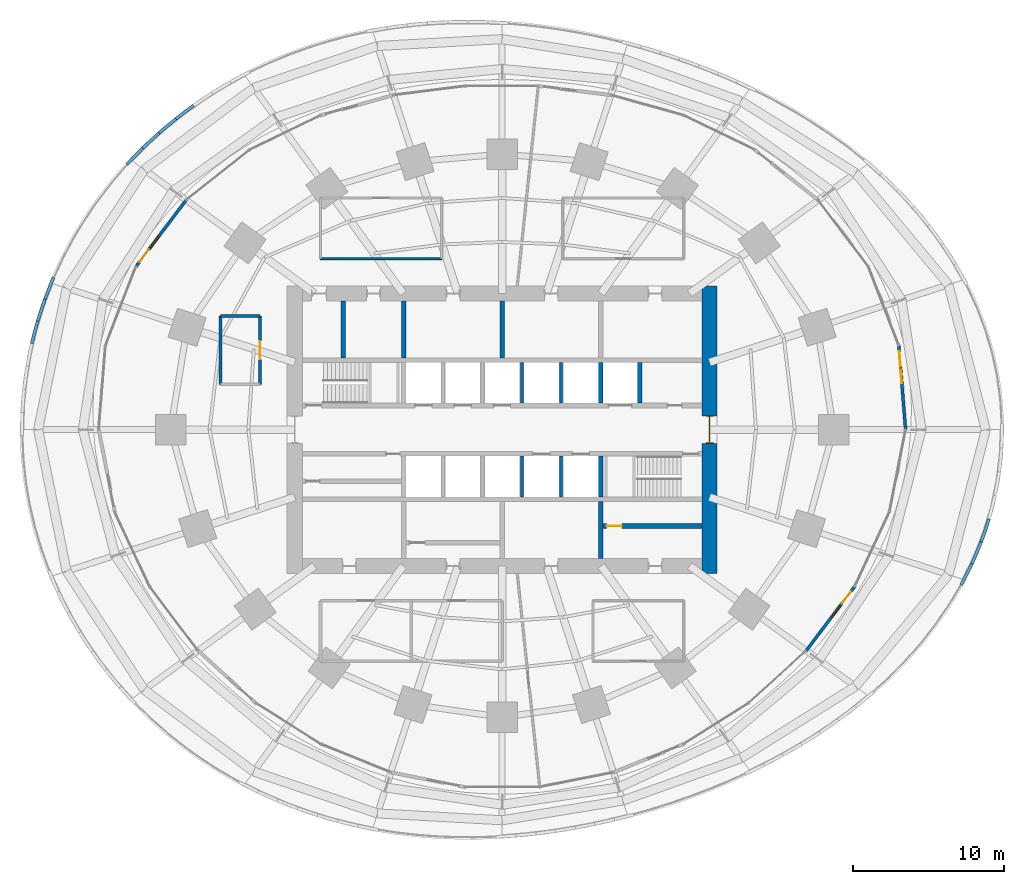
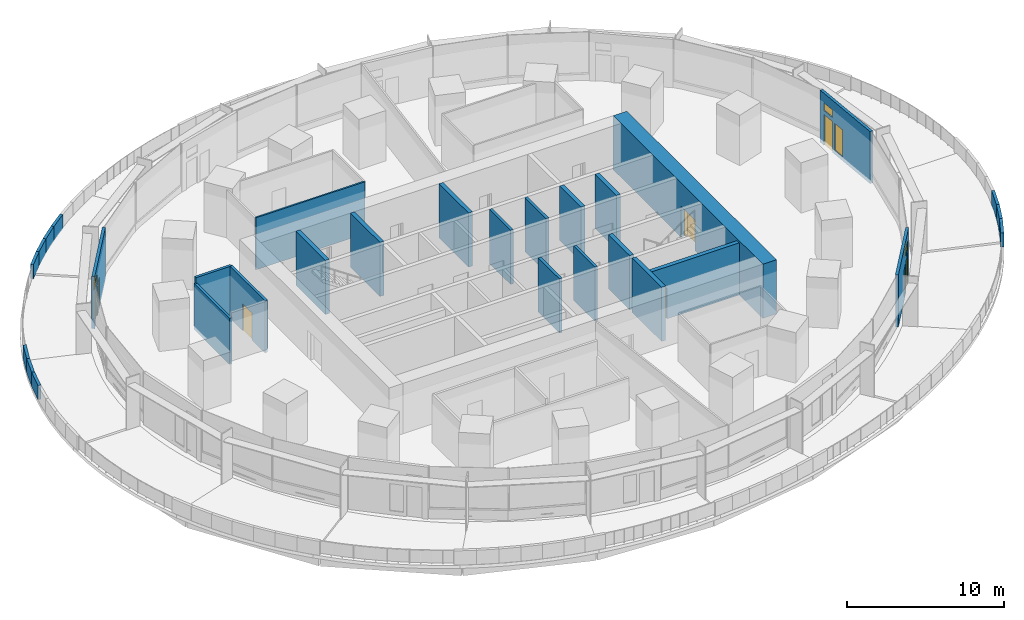
# One storey, part 14 of 20: 30 walls, 6 doors, 6 windows, 12 openings.
"""IFC4 building model written with IfcOpenShell, lengths in metres."""

import ifcopenshell
import ifcopenshell.guid

model = None  # the IFC model being written
_history = None  # IfcOwnerHistory: only IFC2X3 demands one
_inside = {}  # id of a spatial element -> (the spatial element, [elements in it])
_under = {}  # id of a project, library or spatial element -> (it, [spatial elements below it])
_declared = {}  # id of a project -> (the project, [libraries it declares])
_typed = {}  # id of a type object -> (the type object, [elements of that type])
_made_of = {}  # id of a material, layer set ... -> (it, [elements and type objects made of it])


def new_model(schema):
    """Start an empty IFC model of exactly this schema.

    Asked for "IFC4X3", IfcOpenShell would pick the latest addendum, in which some entities
    have other attributes; the version numbers below select the first issue.
    IFC2X3 requires an IfcOwnerHistory on every rooted entity: one is made here for all.
    """
    global model, _history
    if schema == "IFC4X3":
        model = ifcopenshell.file(schema_version=(4, 3, 0, 0))
    else:
        model = ifcopenshell.file(schema=schema)
    _inside.clear()
    _under.clear()
    _declared.clear()
    _typed.clear()
    _made_of.clear()
    _history = None
    if model.schema == "IFC2X3":
        org = make("IfcOrganization", Name="unknown")
        user = make(
            "IfcPersonAndOrganization",
            ThePerson=make("IfcPerson", FamilyName="unknown"),
            TheOrganization=org,
        )
        app = make(
            "IfcApplication",
            ApplicationDeveloper=org,
            Version="unknown",
            ApplicationFullName="unknown",
            ApplicationIdentifier="unknown",
        )
        _history = make(
            "IfcOwnerHistory",
            OwningUser=user,
            OwningApplication=app,
            ChangeAction="ADDED",
            CreationDate=0,
        )
    return model


def make(cls, **values):
    """One entity of the class cls with the attributes given. An attribute that is None is left unset."""
    return model.create_entity(
        cls, **{name: value for name, value in values.items() if value is not None}
    )


def rooted(cls, **values):
    """An entity with a GlobalId (a new one), such as an element, a storey or a relation."""
    return make(cls, GlobalId=ifcopenshell.guid.new(), OwnerHistory=_history, **values)


def si_unit(unit_type, name, prefix=None):
    """IfcSIUnit, for example si_unit("LENGTHUNIT", "METRE", prefix="MILLI")."""
    return make("IfcSIUnit", UnitType=unit_type, Prefix=prefix, Name=name)


def assignment(units):
    """IfcUnitAssignment: the units of a project."""
    return None if units is None else make("IfcUnitAssignment", Units=units)


def point(xyz):
    """IfcCartesianPoint."""
    return None if xyz is None else make("IfcCartesianPoint", Coordinates=xyz)


def direction(xyz):
    """IfcDirection."""
    return None if xyz is None else make("IfcDirection", DirectionRatios=xyz)


def frame(location, z_axis=None, x_axis=None):
    """IfcAxis2Placement3D, a coordinate frame: its origin and axes. An axis left out is left unset."""
    return make(
        "IfcAxis2Placement3D",
        Location=point(location),
        Axis=direction(z_axis),
        RefDirection=direction(x_axis),
    )


def frame_2d(location, x_axis=None):
    """IfcAxis2Placement2D, a coordinate frame in the plane: its origin and x axis."""
    return make(
        "IfcAxis2Placement2D", Location=point(location), RefDirection=direction(x_axis)
    )


def origin():
    """The frame at (0, 0, 0) with its axes left unset."""
    return frame((0.0, 0.0, 0.0))


def place(relative_to, where):
    """IfcLocalPlacement: puts the frame where relative to a parent placement (None: the world)."""
    return make(
        "IfcLocalPlacement", PlacementRelTo=relative_to, RelativePlacement=where
    )


def context(
    kind, dimensions, precision=None, world=None, true_north=None, identifier=None
):
    """IfcGeometricRepresentationContext, for example the 3D "Model" context."""
    return make(
        "IfcGeometricRepresentationContext",
        ContextIdentifier=identifier,
        ContextType=kind,
        CoordinateSpaceDimension=dimensions,
        Precision=precision,
        WorldCoordinateSystem=world,
        TrueNorth=true_north,
    )


def subcontext(parent, identifier, kind, view, scale=None):
    """IfcGeometricRepresentationSubContext, for example "Body" below "Model"."""
    return make(
        "IfcGeometricRepresentationSubContext",
        ContextIdentifier=identifier,
        ContextType=kind,
        ParentContext=parent,
        TargetScale=scale,
        TargetView=view,
    )


def project(units=None, contexts=None):
    """IfcProject with its units and contexts."""
    return rooted(
        "IfcProject",
        Name="project",
        RepresentationContexts=contexts,
        UnitsInContext=assignment(units),
    )


def spatial(cls, under=None, at=None, **own):
    """A site, building, storey or space (cls), placed at a placement, below another one or the project."""
    s = rooted(cls, ObjectPlacement=at, **own)
    if under is not None:
        _under.setdefault(under.id(), (under, []))[1].append(s)
    return s


def profile(cls, at=None, kind="AREA", **sizes):
    """A parametric profile (cls). Its sizes go by their IFC names, for example OverallWidth=200.0."""
    return make(cls, ProfileType=kind, Position=at, **sizes)


def rectangle(**sizes):
    """IfcRectangleProfileDef."""
    return profile("IfcRectangleProfileDef", **sizes)


def extrude(swept, where, along, depth):
    """IfcExtrudedAreaSolid: the profile swept, set in the frame where, extruded along a direction by depth."""
    return make(
        "IfcExtrudedAreaSolid",
        SweptArea=swept,
        Position=where,
        ExtrudedDirection=direction(along),
        Depth=depth,
    )


def shape(context_of_items, identifier, shape_type, items):
    """IfcShapeRepresentation: the items that make up one representation, for example the "Body"."""
    return make(
        "IfcShapeRepresentation",
        ContextOfItems=context_of_items,
        RepresentationIdentifier=identifier,
        RepresentationType=shape_type,
        Items=items,
    )


def material(Name=None, Category=None):
    """IfcMaterial."""
    return make("IfcMaterial", Name=Name, Category=Category)


def layer(
    of_material, thickness, ventilated=None, Name=None, Category=None, Priority=None
):
    """IfcMaterialLayer: one layer of a wall or slab, of a material (None: an air gap)."""
    return make(
        "IfcMaterialLayer",
        Material=of_material,
        LayerThickness=thickness,
        IsVentilated=ventilated,
        Name=Name,
        Category=Category,
        Priority=Priority,
    )


def layer_set(layers, Name=None):
    """IfcMaterialLayerSet."""
    return make("IfcMaterialLayerSet", MaterialLayers=layers, LayerSetName=Name)


def made_of(thing, what):
    """Note that an element or type object is made of a material, layer set ...; save() writes the relation."""
    if what is not None:
        _made_of.setdefault(what.id(), (what, []))[1].append(thing)
    return thing


def type_object(cls, material=None, **own):
    """A type object (cls), such as IfcWallType, which elements share."""
    return made_of(rooted(cls, **own), material)


def element(
    cls,
    number,
    at=None,
    inside=None,
    cuts=None,
    type_object=None,
    material=None,
    context=None,
    identifier="Body",
    shape_type=None,
    held_by="IfcProductDefinitionShape",
    body=None,
    shapes=None,
    **own,
):
    """One element of the class cls, such as IfcWall. Its Tag is "e" and its number.

    at: its placement. inside: the storey or other place that contains it. cuts: it is an
    opening in that element (IfcRelVoidsElement). A single representation is given by context,
    identifier, shape_type and body (its items); several are given by shapes. held_by: the class
    of the entity that holds the representations. save() writes the other relations.
    """
    e = rooted(cls, Tag="e%d" % number, ObjectPlacement=at, **own)
    if body is not None:
        shapes = [shape(context, identifier, shape_type, body)]
    if shapes is not None:
        e.Representation = make(held_by, Representations=shapes)
    if inside is not None:
        _inside.setdefault(inside.id(), (inside, []))[1].append(e)
    if cuts is not None:
        rooted(
            "IfcRelVoidsElement", RelatingBuildingElement=cuts, RelatedOpeningElement=e
        )
    if type_object is not None:
        _typed.setdefault(type_object.id(), (type_object, []))[1].append(e)
    return made_of(e, material)


def fill(opening, filler):
    """IfcRelFillsElement: the door or window that sits in an opening."""
    return rooted(
        "IfcRelFillsElement",
        RelatingOpeningElement=opening,
        RelatedBuildingElement=filler,
    )


def aggregate(whole, parts):
    """IfcRelAggregates: a whole, such as a stair, and the parts it consists of."""
    return rooted("IfcRelAggregates", RelatingObject=whole, RelatedObjects=parts)


def save(model, path):
    """Write the relations noted so far, then the file.

    IfcRelAggregates (storeys below a building ...), IfcRelContainedInSpatialStructure (elements
    in a storey), IfcRelDefinesByType, IfcRelAssociatesMaterial and IfcRelDeclares: one each for
    every whole, place, type object, material and project.
    """
    for whole, parts in _under.values():
        aggregate(whole, parts)
    for where, things in _inside.values():
        rooted(
            "IfcRelContainedInSpatialStructure",
            RelatedElements=things,
            RelatingStructure=where,
        )
    for kind, things in _typed.values():
        rooted("IfcRelDefinesByType", RelatedObjects=things, RelatingType=kind)
    for what, things in _made_of.values():
        rooted("IfcRelAssociatesMaterial", RelatedObjects=things, RelatingMaterial=what)
    for by, libraries in _declared.values():
        rooted("IfcRelDeclares", RelatingContext=by, RelatedDefinitions=libraries)
    model.write(path)


model = new_model("IFC4")

# Units and contexts
model_context = context("Model", 3, precision=1e-05, world=origin(), true_north=direction((0.0, 1.0)))
body_context = subcontext(model_context, "Body", "Model", "MODEL_VIEW")
ifc_project = project(units=[si_unit("LENGTHUNIT", "METRE"), si_unit("AREAUNIT", "SQUARE_METRE"), si_unit("VOLUMEUNIT", "CUBIC_METRE"), si_unit("PLANEANGLEUNIT", "RADIAN"), si_unit("MASSUNIT", "GRAM", prefix="KILO")], contexts=[model_context])

# Site, building, storey
site_placement = place(None, origin())
site = spatial("IfcSite", under=ifc_project, at=site_placement, CompositionType="ELEMENT")
building_placement = place(site_placement, origin())
building = spatial("IfcBuilding", under=site, at=building_placement, Name="Marramba Exchange Tower", CompositionType="ELEMENT")
storey_placement = place(building_placement, frame((0.0, 0.0, 19.60009765625)))
storey = spatial("IfcBuildingStorey", under=building, at=storey_placement, Name="L04", CompositionType="ELEMENT", Elevation=19.60009765625)

# Walls
ifc_material_1 = material(Name="Concrete N50", Category="concrete")
ifc_layer_1 = layer(ifc_material_1, 0.199951171875)
ifc_layer_set_1 = layer_set([ifc_layer_1], Name="Core shaft wall 200")
wall_type_1 = type_object("IfcWallType", Name="Core shaft wall 200", PredefinedType="SHEAR", material=ifc_layer_set_1)
for number, where, z_axis, x_axis, name in (
    (1, (1.300048828125, 1.75, 0.0), (0.0, 0.0, 1.0), (0.0, 1.0, 0.0), "Core wall SHN3 L04"),
    (2, (3.89990234375, 1.75, 0.0), (0.0, 0.0, 1.0), (0.0, 1.0, 0.0), "Core wall SHN4 L04"),
    (3, (1.300048828125, -1.75, 0.0), (0.0, 0.0, 1.0), (0.0, -1.0, 0.0), "Core wall SHS3 L04"),
    (4, (3.89990234375, -1.75, 0.0), (0.0, 0.0, 1.0), (0.0, -1.0, 0.0), "Core wall SHS4 L04"),
):
    element("IfcWall", number, at=place(storey_placement, frame(where, z_axis=z_axis, x_axis=x_axis)), inside=storey, type_object=wall_type_1, Name=name, PredefinedType="SHEAR", context=body_context, shape_type="SweptSolid", body=[
        extrude(rectangle(XDim=2.699951171875, YDim=0.199951171875, at=frame_2d((1.35009765625, 0.0))), origin(), (0.0, 0.0, 1.0), 4.199951171875),
    ])

# Wall, opening, door
ifc_layer_2 = layer(ifc_material_1, 1.0)
ifc_layer_set_2 = layer_set([ifc_layer_2], Name="Core wall 1000")
wall_type_2 = type_object("IfcWallType", Name="Core wall 1000", PredefinedType="SHEAR", material=ifc_layer_set_2)
wall_1_placement = place(storey_placement, frame((13.699951171875, -9.5, 0.0), z_axis=(0.0, 0.0, 1.0), x_axis=(0.0, 1.0, 0.0)))
wall_1 = element("IfcWall", 5, at=wall_1_placement, inside=storey, type_object=wall_type_2, Name="Core wall E L04", PredefinedType="SHEAR", context=body_context, shape_type="SweptSolid", body=[
    extrude(rectangle(XDim=19.0, YDim=1.0, at=frame_2d((9.5, 0.0))), origin(), (0.0, 0.0, 1.0), 4.199951171875),
])
opening_1_placement = place(wall_1_placement, frame((8.60009765625, 0.0, 0.0)))
opening_1 = element("IfcOpeningElement", 6, at=opening_1_placement, cuts=wall_1, Name="Opening D1", PredefinedType="OPENING", context=body_context, shape_type="SweptSolid", body=[
    extrude(rectangle(XDim=1.800048828125, YDim=2.39990234375, at=frame_2d((0.89990234375, 1.199951171875))), frame((0.0, 0.510009765625, 0.0), z_axis=(0.0, -1.0, 0.0), x_axis=(1.0, 0.0, 0.0)), (0.0, 0.0, 1.0), 1.02001953125),
])
ifc_material_2 = material(Name="Steel-framed door", Category="steel")
door_type_1 = type_object("IfcDoorType", Name="Lobby exit door 1800x2400", OperationType="DOUBLE_DOOR_SINGLE_SWING", PredefinedType="DOOR", material=ifc_material_2)
door_1_placement = place(opening_1_placement, origin())
door_1 = element("IfcDoor", 7, at=door_1_placement, inside=storey, type_object=door_type_1, Name="D1 lobby exit east L04", OperationType="DOUBLE_DOOR_SINGLE_SWING", OverallHeight=2.39990234375, OverallWidth=1.800048828125, PredefinedType="DOOR", context=body_context, shape_type="SweptSolid", body=[
    extrude(rectangle(XDim=1.719970703125, YDim=2.35986328125, at=frame_2d((0.89990234375, 1.179931640625))), frame((0.0, 0.02490234375, 0.0), z_axis=(0.0, -1.0, 0.0), x_axis=(1.0, 0.0, 0.0)), (0.0, 0.0, 1.0), 0.050048828125),
    extrude(rectangle(XDim=0.04, YDim=2.39990234375, at=frame_2d((0.02001953125, 1.199951171875))), frame((0.0, 0.25, 0.0), z_axis=(0.0, -1.0, 0.0), x_axis=(1.0, 0.0, 0.0)), (0.0, 0.0, 1.0), 0.5),
    extrude(rectangle(XDim=0.04, YDim=2.39990234375, at=frame_2d((1.780029296875, 1.199951171875))), frame((0.0, 0.25, 0.0), z_axis=(0.0, -1.0, 0.0), x_axis=(1.0, 0.0, 0.0)), (0.0, 0.0, 1.0), 0.5),
    extrude(rectangle(XDim=1.719970703125, YDim=0.04, at=frame_2d((0.89990234375, 2.3798828125))), frame((0.0, 0.25, 0.0), z_axis=(0.0, -1.0, 0.0), x_axis=(1.0, 0.0, 0.0)), (0.0, 0.0, 1.0), 0.5),
])
fill(opening_1, door_1)

# Walls
ifc_layer_3 = layer(ifc_material_1, 0.300048828125)
ifc_layer_set_3 = layer_set([ifc_layer_3], Name="Core wall 300")
wall_type_3 = type_object("IfcWallType", Name="Core wall 300", PredefinedType="SHEAR", material=ifc_layer_set_3)
wall_2_placement = place(storey_placement, frame((-6.5, 4.75, 0.0), z_axis=(0.0, 0.0, 1.0), x_axis=(0.0, 1.0, 0.0)))
element("IfcWall", 8, at=wall_2_placement, inside=storey, type_object=wall_type_3, Name="Core wall X0Nb L04", PredefinedType="SHEAR", context=body_context, shape_type="SweptSolid", body=[
    extrude(rectangle(XDim=3.75, YDim=0.300048828125, at=frame_2d((1.875, 0.0))), origin(), (0.0, 0.0, 1.0), 4.199951171875),
])
wall_3_placement = place(storey_placement, frame((6.5, 1.75, 0.0), z_axis=(0.0, 0.0, 1.0), x_axis=(0.0, 1.0, 0.0)))
element("IfcWall", 9, at=wall_3_placement, inside=storey, type_object=wall_type_3, Name="Core wall X1Na L04", PredefinedType="SHEAR", context=body_context, shape_type="SweptSolid", body=[
    extrude(rectangle(XDim=2.699951171875, YDim=0.300048828125, at=frame_2d((1.35009765625, 0.0))), origin(), (0.0, 0.0, 1.0), 4.199951171875),
])
wall_4_placement = place(storey_placement, frame((0.0, 4.75, 0.0), z_axis=(0.0, 0.0, 1.0), x_axis=(0.0, 1.0, 0.0)))
element("IfcWall", 10, at=wall_4_placement, inside=storey, type_object=wall_type_3, Name="Core wall MN L04", PredefinedType="SHEAR", context=body_context, shape_type="SweptSolid", body=[
    extrude(rectangle(XDim=3.75, YDim=0.300048828125, at=frame_2d((1.875, 0.0))), origin(), (0.0, 0.0, 1.0), 4.199951171875),
])
wall_5_placement = place(storey_placement, frame((6.5, -1.75, 0.0), z_axis=(0.0, 0.0, 1.0), x_axis=(0.0, -1.0, 0.0)))
element("IfcWall", 11, at=wall_5_placement, inside=storey, type_object=wall_type_3, Name="Core wall X1Sa L04", PredefinedType="SHEAR", context=body_context, shape_type="SweptSolid", body=[
    extrude(rectangle(XDim=2.699951171875, YDim=0.300048828125, at=frame_2d((1.35009765625, 0.0))), origin(), (0.0, 0.0, 1.0), 4.199951171875),
])
for number, where, z_axis, x_axis, name in (
    (12, (6.5, -4.75, 0.0), (0.0, 0.0, 1.0), (0.0, -1.0, 0.0), "Core wall X1Sb L04"),
    (13, (-10.5, 4.75, 0.0), (0.0, 0.0, 1.0), (0.0, 1.0, 0.0), "Core wall WD L04"),
):
    element("IfcWall", number, at=place(storey_placement, frame(where, z_axis=z_axis, x_axis=x_axis)), inside=storey, type_object=wall_type_3, Name=name, PredefinedType="SHEAR", context=body_context, shape_type="SweptSolid", body=[
        extrude(rectangle(XDim=3.75, YDim=0.300048828125, at=frame_2d((1.875, 0.0))), origin(), (0.0, 0.0, 1.0), 4.199951171875),
    ])
wall_6_placement = place(storey_placement, frame((9.10009765625, 1.75, 0.0), z_axis=(0.0, 0.0, 1.0), x_axis=(0.0, 1.0, 0.0)))
element("IfcWall", 14, at=wall_6_placement, inside=storey, type_object=wall_type_3, Name="Core wall ED L04", PredefinedType="SHEAR", context=body_context, shape_type="SweptSolid", body=[
    extrude(rectangle(XDim=2.699951171875, YDim=0.300048828125, at=frame_2d((1.35009765625, 0.0))), origin(), (0.0, 0.0, 1.0), 4.199951171875),
])

# Wall, openings, door, windows
ifc_material_3 = material(Name="Aluminium-framed bronze cladding on steel studs", Category="steel")
ifc_layer_4 = layer(ifc_material_3, 0.199951171875)
ifc_layer_set_4 = layer_set([ifc_layer_4], Name="Door screen wall 200")
wall_type_4 = type_object("IfcWallType", Name="Door screen wall 200", PredefinedType="SOLIDWALL", material=ifc_layer_set_4)
wall_7_placement = place(storey_placement, frame((26.64990234375, 0.0, 0.0), z_axis=(0.0, 0.0, 1.0), x_axis=(-0.080267955131, 0.996773321964, 0.0)))
wall_7 = element("IfcWall", 15, at=wall_7_placement, inside=storey, type_object=wall_type_4, Name="Door screen L04 F01", PredefinedType="SOLIDWALL", context=body_context, shape_type="SweptSolid", body=[
    extrude(rectangle(XDim=5.58740234375, YDim=0.199951171875, at=frame_2d((2.793701171875, 0.0))), origin(), (0.0, 0.0, 1.0), 4.039794921875),
])
opening_2_placement = place(wall_7_placement, frame((4.187255859375, 0.0, 0.0)))
opening_2 = element("IfcOpeningElement", 16, at=opening_2_placement, cuts=wall_7, Name="Opening D6", PredefinedType="OPENING", context=body_context, shape_type="SweptSolid", body=[
    extrude(rectangle(XDim=1.0, YDim=2.39990234375, at=frame_2d((0.5, 1.199951171875))), frame((0.0, 0.10986328125, 0.0), z_axis=(0.0, -1.0, 0.0), x_axis=(1.0, 0.0, 0.0)), (0.0, 0.0, 1.0), 0.219970703125),
])
opening_3_placement = place(wall_7_placement, frame((3.08740234375, 0.0, 0.300048828125)))
opening_3 = element("IfcOpeningElement", 17, at=opening_3_placement, cuts=wall_7, Name="Opening W4", PredefinedType="OPENING", context=body_context, shape_type="SweptSolid", body=[
    extrude(rectangle(XDim=0.89990234375, YDim=2.10009765625, at=frame_2d((0.449951171875, 1.050048828125))), frame((0.0, 0.10986328125, 0.0), z_axis=(0.0, -1.0, 0.0), x_axis=(1.0, 0.0, 0.0)), (0.0, 0.0, 1.0), 0.219970703125),
])
opening_4_placement = place(wall_7_placement, frame((4.187255859375, 0.0, 2.699951171875)))
opening_4 = element("IfcOpeningElement", 18, at=opening_4_placement, cuts=wall_7, Name="Opening W5", PredefinedType="OPENING", context=body_context, shape_type="SweptSolid", body=[
    extrude(rectangle(XDim=1.0, YDim=0.60009765625, at=frame_2d((0.5, 0.300048828125))), frame((0.0, 0.10986328125, 0.0), z_axis=(0.0, -1.0, 0.0), x_axis=(1.0, 0.0, 0.0)), (0.0, 0.0, 1.0), 0.219970703125),
])
ifc_material_4 = material(Name="Aluminium-framed glazed door, bronze", Category="aluminium")
door_type_2 = type_object("IfcDoorType", Name="Terrace door 1000x2400", OperationType="SINGLE_SWING_LEFT", PredefinedType="DOOR", material=ifc_material_4)
door_2_placement = place(opening_2_placement, frame((1.0, 0.0, 0.0), z_axis=(0.0, 0.0, 1.0), x_axis=(-1.0, 0.0, 0.0)))
door_2 = element("IfcDoor", 19, at=door_2_placement, inside=storey, type_object=door_type_2, Name="D6 L04", OperationType="SINGLE_SWING_RIGHT", OverallHeight=2.39990234375, OverallWidth=1.0, PredefinedType="DOOR", context=body_context, shape_type="SweptSolid", body=[
    extrude(rectangle(XDim=1.0, YDim=2.39990234375, at=frame_2d((0.5, 1.199951171875))), frame((0.0, 0.025146484375, 0.0), z_axis=(0.0, -1.0, 0.0), x_axis=(1.0, 0.0, 0.0)), (0.0, 0.0, 1.0), 0.050048828125),
])
fill(opening_2, door_2)
ifc_material_5 = material(Name="Aluminium-framed fixed light, bronze, double glazed", Category="aluminium")
window_type_1 = type_object("IfcWindowType", Name="Terrace sidelight 900x2100", PartitioningType="SINGLE_PANEL", PredefinedType="WINDOW", material=ifc_material_5)
window_1_placement = place(opening_3_placement, origin())
window_1 = element("IfcWindow", 20, at=window_1_placement, inside=storey, type_object=window_type_1, Name="W4 L04 F01 left", OverallHeight=2.10009765625, OverallWidth=0.89990234375, PartitioningType="SINGLE_PANEL", PredefinedType="WINDOW", context=body_context, shape_type="SweptSolid", body=[
    extrude(rectangle(XDim=0.89990234375, YDim=2.10009765625, at=frame_2d((0.449951171875, 1.050048828125))), frame((0.0, 0.030029296875, 0.0), z_axis=(0.0, -1.0, 0.0), x_axis=(1.0, 0.0, 0.0)), (0.0, 0.0, 1.0), 0.06005859375),
])
fill(opening_3, window_1)
window_type_2 = type_object("IfcWindowType", Name="Terrace transom light 1000x600", PartitioningType="SINGLE_PANEL", PredefinedType="WINDOW", material=ifc_material_5)
window_2_placement = place(opening_4_placement, origin())
window_2 = element("IfcWindow", 21, at=window_2_placement, inside=storey, type_object=window_type_2, Name="W5 L04 F01 over the door", OverallHeight=0.60009765625, OverallWidth=1.0, PartitioningType="SINGLE_PANEL", PredefinedType="WINDOW", context=body_context, shape_type="SweptSolid", body=[
    extrude(rectangle(XDim=1.0, YDim=0.60009765625, at=frame_2d((0.5, 0.300048828125))), frame((0.0, 0.030029296875, 0.0), z_axis=(0.0, -1.0, 0.0), x_axis=(1.0, 0.0, 0.0)), (0.0, 0.0, 1.0), 0.06005859375),
])
fill(opening_4, window_2)

wall_8_placement = place(storey_placement, frame((-20.87548828125, 15.166748046875, 0.0), z_axis=(0.0, 0.0, 1.0), x_axis=(-0.602981695088, -0.797755022164, 0.0)))
wall_8 = element("IfcWall", 22, at=wall_8_placement, inside=storey, type_object=wall_type_4, Name="Door screen L04 F13", PredefinedType="SOLIDWALL", context=body_context, shape_type="SweptSolid", body=[
    extrude(rectangle(XDim=5.5078125, YDim=0.199951171875, at=frame_2d((2.75390625, 0.0))), origin(), (0.0, 0.0, 1.0), 4.039794921875),
])
opening_5_placement = place(wall_8_placement, frame((4.10791015625, 0.0, 0.0)))
opening_5 = element("IfcOpeningElement", 23, at=opening_5_placement, cuts=wall_8, Name="Opening D6", PredefinedType="OPENING", context=body_context, shape_type="SweptSolid", body=[
    extrude(rectangle(XDim=1.0, YDim=2.39990234375, at=frame_2d((0.5, 1.199951171875))), frame((0.0, 0.10986328125, 0.0), z_axis=(0.0, -1.0, 0.0), x_axis=(1.0, 0.0, 0.0)), (0.0, 0.0, 1.0), 0.219970703125),
])
opening_6_placement = place(wall_8_placement, frame((3.0078125, 0.0, 0.300048828125)))
opening_6 = element("IfcOpeningElement", 24, at=opening_6_placement, cuts=wall_8, Name="Opening W4", PredefinedType="OPENING", context=body_context, shape_type="SweptSolid", body=[
    extrude(rectangle(XDim=0.89990234375, YDim=2.10009765625, at=frame_2d((0.449951171875, 1.050048828125))), frame((0.0, 0.10986328125, 0.0), z_axis=(0.0, -1.0, 0.0), x_axis=(1.0, 0.0, 0.0)), (0.0, 0.0, 1.0), 0.219970703125),
])
opening_7_placement = place(wall_8_placement, frame((4.10791015625, 0.0, 2.699951171875)))
opening_7 = element("IfcOpeningElement", 25, at=opening_7_placement, cuts=wall_8, Name="Opening W5", PredefinedType="OPENING", context=body_context, shape_type="SweptSolid", body=[
    extrude(rectangle(XDim=1.0, YDim=0.60009765625, at=frame_2d((0.5, 0.300048828125))), frame((0.0, 0.10986328125, 0.0), z_axis=(0.0, -1.0, 0.0), x_axis=(1.0, 0.0, 0.0)), (0.0, 0.0, 1.0), 0.219970703125),
])
door_3_placement = place(opening_5_placement, frame((1.0, 0.0, 0.0), z_axis=(0.0, 0.0, 1.0), x_axis=(-1.0, 0.0, 0.0)))
door_3 = element("IfcDoor", 26, at=door_3_placement, inside=storey, type_object=door_type_2, Name="D6 L04", OperationType="SINGLE_SWING_RIGHT", OverallHeight=2.39990234375, OverallWidth=1.0, PredefinedType="DOOR", context=body_context, shape_type="SweptSolid", body=[
    extrude(rectangle(XDim=1.0, YDim=2.39990234375, at=frame_2d((0.5, 1.199951171875))), frame((0.0, 0.025146484375, 0.0), z_axis=(0.0, -1.0, 0.0), x_axis=(1.0, 0.0, 0.0)), (0.0, 0.0, 1.0), 0.050048828125),
])
fill(opening_5, door_3)
window_3_placement = place(opening_6_placement, origin())
window_3 = element("IfcWindow", 27, at=window_3_placement, inside=storey, type_object=window_type_1, Name="W4 L04 F13 left", OverallHeight=2.10009765625, OverallWidth=0.89990234375, PartitioningType="SINGLE_PANEL", PredefinedType="WINDOW", context=body_context, shape_type="SweptSolid", body=[
    extrude(rectangle(XDim=0.89990234375, YDim=2.10009765625, at=frame_2d((0.449951171875, 1.050048828125))), frame((0.0, 0.030029296875, 0.0), z_axis=(0.0, -1.0, 0.0), x_axis=(1.0, 0.0, 0.0)), (0.0, 0.0, 1.0), 0.06005859375),
])
fill(opening_6, window_3)
window_4_placement = place(opening_7_placement, origin())
window_4 = element("IfcWindow", 28, at=window_4_placement, inside=storey, type_object=window_type_2, Name="W5 L04 F13 over the door", OverallHeight=0.60009765625, OverallWidth=1.0, PartitioningType="SINGLE_PANEL", PredefinedType="WINDOW", context=body_context, shape_type="SweptSolid", body=[
    extrude(rectangle(XDim=1.0, YDim=0.60009765625, at=frame_2d((0.5, 0.300048828125))), frame((0.0, 0.030029296875, 0.0), z_axis=(0.0, -1.0, 0.0), x_axis=(1.0, 0.0, 0.0)), (0.0, 0.0, 1.0), 0.06005859375),
])
fill(opening_7, window_4)

wall_9_placement = place(storey_placement, frame((20.08544921875, -14.593017578125, 0.0), z_axis=(0.0, 0.0, 1.0), x_axis=(0.603032491561, 0.797716625201, 0.0)))
wall_9 = element("IfcWall", 29, at=wall_9_placement, inside=storey, type_object=wall_type_4, Name="Door screen L04 F28", PredefinedType="SOLIDWALL", context=body_context, shape_type="SweptSolid", body=[
    extrude(rectangle(XDim=5.299560546875, YDim=0.199951171875, at=frame_2d((2.64990234375, 0.0))), origin(), (0.0, 0.0, 1.0), 4.039794921875),
])
opening_8_placement = place(wall_9_placement, frame((3.8994140625, 0.0, 0.0)))
opening_8 = element("IfcOpeningElement", 30, at=opening_8_placement, cuts=wall_9, Name="Opening D6", PredefinedType="OPENING", context=body_context, shape_type="SweptSolid", body=[
    extrude(rectangle(XDim=1.0, YDim=2.39990234375, at=frame_2d((0.5, 1.199951171875))), frame((0.0, 0.10986328125, 0.0), z_axis=(0.0, -1.0, 0.0), x_axis=(1.0, 0.0, 0.0)), (0.0, 0.0, 1.0), 0.219970703125),
])
opening_9_placement = place(wall_9_placement, frame((2.799560546875, 0.0, 0.300048828125)))
opening_9 = element("IfcOpeningElement", 31, at=opening_9_placement, cuts=wall_9, Name="Opening W4", PredefinedType="OPENING", context=body_context, shape_type="SweptSolid", body=[
    extrude(rectangle(XDim=0.89990234375, YDim=2.10009765625, at=frame_2d((0.449951171875, 1.050048828125))), frame((0.0, 0.10986328125, 0.0), z_axis=(0.0, -1.0, 0.0), x_axis=(1.0, 0.0, 0.0)), (0.0, 0.0, 1.0), 0.219970703125),
])
opening_10_placement = place(wall_9_placement, frame((3.8994140625, 0.0, 2.699951171875)))
opening_10 = element("IfcOpeningElement", 32, at=opening_10_placement, cuts=wall_9, Name="Opening W5", PredefinedType="OPENING", context=body_context, shape_type="SweptSolid", body=[
    extrude(rectangle(XDim=1.0, YDim=0.60009765625, at=frame_2d((0.5, 0.300048828125))), frame((0.0, 0.10986328125, 0.0), z_axis=(0.0, -1.0, 0.0), x_axis=(1.0, 0.0, 0.0)), (0.0, 0.0, 1.0), 0.219970703125),
])
door_4_placement = place(opening_8_placement, frame((1.0, 0.0, 0.0), z_axis=(0.0, 0.0, 1.0), x_axis=(-1.0, 0.0, 0.0)))
door_4 = element("IfcDoor", 33, at=door_4_placement, inside=storey, type_object=door_type_2, Name="D6 L04", OperationType="SINGLE_SWING_RIGHT", OverallHeight=2.39990234375, OverallWidth=1.0, PredefinedType="DOOR", context=body_context, shape_type="SweptSolid", body=[
    extrude(rectangle(XDim=1.0, YDim=2.39990234375, at=frame_2d((0.5, 1.199951171875))), frame((0.0, 0.025146484375, 0.0), z_axis=(0.0, -1.0, 0.0), x_axis=(1.0, 0.0, 0.0)), (0.0, 0.0, 1.0), 0.050048828125),
])
fill(opening_8, door_4)
window_5_placement = place(opening_9_placement, origin())
window_5 = element("IfcWindow", 34, at=window_5_placement, inside=storey, type_object=window_type_1, Name="W4 L04 F28 left", OverallHeight=2.10009765625, OverallWidth=0.89990234375, PartitioningType="SINGLE_PANEL", PredefinedType="WINDOW", context=body_context, shape_type="SweptSolid", body=[
    extrude(rectangle(XDim=0.89990234375, YDim=2.10009765625, at=frame_2d((0.449951171875, 1.050048828125))), frame((0.0, 0.030029296875, 0.0), z_axis=(0.0, -1.0, 0.0), x_axis=(1.0, 0.0, 0.0)), (0.0, 0.0, 1.0), 0.06005859375),
])
fill(opening_9, window_5)
window_6_placement = place(opening_10_placement, origin())
window_6 = element("IfcWindow", 35, at=window_6_placement, inside=storey, type_object=window_type_2, Name="W5 L04 F28 over the door", OverallHeight=0.60009765625, OverallWidth=1.0, PartitioningType="SINGLE_PANEL", PredefinedType="WINDOW", context=body_context, shape_type="SweptSolid", body=[
    extrude(rectangle(XDim=1.0, YDim=0.60009765625, at=frame_2d((0.5, 0.300048828125))), frame((0.0, 0.030029296875, 0.0), z_axis=(0.0, -1.0, 0.0), x_axis=(1.0, 0.0, 0.0)), (0.0, 0.0, 1.0), 0.06005859375),
])
fill(opening_10, window_6)

# Wall
ifc_material_6 = material(Name="Core-filled concrete blockwork, rendered", Category="masonry")
ifc_layer_5 = layer(ifc_material_6, 0.18994140625)
ifc_layer_set_5 = layer_set([ifc_layer_5], Name="Equipment room wall 190")
wall_type_5 = type_object("IfcWallType", Name="Equipment room wall 190", PredefinedType="SOLIDWALL", material=ifc_layer_set_5)
wall_10_placement = place(storey_placement, frame((-18.60009765625, 7.5, 0.0), z_axis=(0.0, 0.0, 1.0), x_axis=(1.0, 0.0, 0.0)))
element("IfcWall", 36, at=wall_10_placement, inside=storey, type_object=wall_type_5, Name="Equipment room wall L04 20", PredefinedType="SOLIDWALL", context=body_context, shape_type="SweptSolid", body=[
    extrude(rectangle(XDim=2.60009765625, YDim=0.18994140625, at=frame_2d((1.300048828125, 0.0))), origin(), (0.0, 0.0, 1.0), 4.039794921875),
])

# Wall, opening, door
wall_11_placement = place(storey_placement, frame((-16.0, 7.5, 0.0), z_axis=(0.0, 0.0, 1.0), x_axis=(0.0, -1.0, 0.0)))
wall_11 = element("IfcWall", 37, at=wall_11_placement, inside=storey, type_object=wall_type_5, Name="Equipment room wall L04 21", PredefinedType="SOLIDWALL", context=body_context, shape_type="SweptSolid", body=[
    extrude(rectangle(XDim=4.5, YDim=0.18994140625, at=frame_2d((2.25, 0.0))), origin(), (0.0, 0.0, 1.0), 4.039794921875),
])
opening_11_placement = place(wall_11_placement, frame((1.64990234375, 0.0, 0.0)))
opening_11 = element("IfcOpeningElement", 38, at=opening_11_placement, cuts=wall_11, Name="Opening D16", PredefinedType="OPENING", context=body_context, shape_type="SweptSolid", body=[
    extrude(rectangle(XDim=1.199951171875, YDim=2.10009765625, at=frame_2d((0.60009765625, 1.050048828125))), frame((0.0, 0.10498046875, 0.0), z_axis=(0.0, -1.0, 0.0), x_axis=(1.0, 0.0, 0.0)), (0.0, 0.0, 1.0), 0.2099609375),
])
door_type_3 = type_object("IfcDoorType", Name="Equipment room door 1200x2100", OperationType="SINGLE_SWING_LEFT", PredefinedType="DOOR", material=ifc_material_2)
door_5_placement = place(opening_11_placement, frame((1.199951171875, 0.0, 0.0), z_axis=(0.0, 0.0, 1.0), x_axis=(-1.0, 0.0, 0.0)))
door_5 = element("IfcDoor", 39, at=door_5_placement, inside=storey, type_object=door_type_3, Name="D16 Data Room L04", OperationType="SINGLE_SWING_RIGHT", OverallHeight=2.10009765625, OverallWidth=1.199951171875, PredefinedType="DOOR", context=body_context, shape_type="SweptSolid", body=[
    extrude(rectangle(XDim=1.199951171875, YDim=2.10009765625, at=frame_2d((0.599853515625, 1.050048828125))), frame((0.0, 0.025146484375, 0.0), z_axis=(0.0, -1.0, 0.0), x_axis=(1.0, 0.0, 0.0)), (0.0, 0.0, 1.0), 0.050048828125),
])
fill(opening_11, door_5)

# Walls
wall_12_placement = place(storey_placement, frame((-18.60009765625, 3.0, 0.0), z_axis=(0.0, 0.0, 1.0), x_axis=(0.0, 1.0, 0.0)))
element("IfcWall", 40, at=wall_12_placement, inside=storey, type_object=wall_type_5, Name="Equipment room wall L04 22", PredefinedType="SOLIDWALL", context=body_context, shape_type="SweptSolid", body=[
    extrude(rectangle(XDim=4.5, YDim=0.18994140625, at=frame_2d((2.25, 0.0))), origin(), (0.0, 0.0, 1.0), 3.5859375),
])
ifc_material_7 = material(Name="Plasterboard on steel studs", Category="steel")
ifc_layer_6 = layer(ifc_material_7, 0.1201171875)
ifc_layer_set_6 = layer_set([ifc_layer_6], Name="Partition 120")
wall_type_6 = type_object("IfcWallType", Name="Partition 120", PredefinedType="PARTITIONING", material=ifc_layer_set_6)
wall_13_placement = place(storey_placement, frame((-4.0, 11.300048828125, 0.0), z_axis=(0.0, 0.0, 1.0), x_axis=(-1.0, 0.0, 0.0)))
element("IfcWall", 41, at=wall_13_placement, inside=storey, type_object=wall_type_6, Name="Partition L04 18", PredefinedType="PARTITIONING", context=body_context, shape_type="SweptSolid", body=[
    extrude(rectangle(XDim=8.0, YDim=0.1201171875, at=frame_2d((4.0, 0.0))), origin(), (0.0, 0.0, 1.0), 4.039794921875),
])
ifc_material_8 = material(Name="Concrete N40", Category="concrete")
ifc_layer_7 = layer(ifc_material_8, 0.199951171875)
ifc_layer_set_7 = layer_set([ifc_layer_7], Name="Roof parapet 200")
wall_type_7 = type_object("IfcWallType", Name="Roof parapet 200", PredefinedType="PARAPET", material=ifc_layer_set_7)
wall_14_placement = place(storey_placement, frame((-20.381591796875, 21.412353515625, 0.0), z_axis=(0.0, 0.0, 1.0), x_axis=(-0.799658665105, -0.6004548437, 0.0)))
element("IfcWall", 42, at=wall_14_placement, inside=storey, type_object=wall_type_7, Name="Parapet L04 bay 08", PredefinedType="PARAPET", context=body_context, shape_type="SweptSolid", body=[
    extrude(rectangle(XDim=1.459716796875, YDim=0.199951171875, at=frame_2d((0.72998046875, 0.0))), origin(), (0.0, 0.0, 1.0), 1.099853515625),
])
wall_15_placement = place(storey_placement, frame((-21.548828125, 20.535888671875, 0.0), z_axis=(0.0, 0.0, 1.0), x_axis=(-0.767362324385, -0.641213742144, 0.0)))
element("IfcWall", 43, at=wall_15_placement, inside=storey, type_object=wall_type_7, Name="Parapet L04 bay 08", PredefinedType="PARAPET", context=body_context, shape_type="SweptSolid", body=[
    extrude(rectangle(XDim=1.468994140625, YDim=0.199951171875, at=frame_2d((0.734375, 0.0))), origin(), (0.0, 0.0, 1.0), 1.099853515625),
])
wall_16_placement = place(storey_placement, frame((-22.676025390625, 19.593994140625, 0.0), z_axis=(0.0, 0.0, 1.0), x_axis=(-0.73256401107, -0.68069814873, 0.0)))
element("IfcWall", 44, at=wall_16_placement, inside=storey, type_object=wall_type_7, Name="Parapet L04 bay 08", PredefinedType="PARAPET", context=body_context, shape_type="SweptSolid", body=[
    extrude(rectangle(XDim=1.47802734375, YDim=0.199951171875, at=frame_2d((0.739013671875, 0.0))), origin(), (0.0, 0.0, 1.0), 1.099853515625),
])
wall_17_placement = place(storey_placement, frame((-23.7587890625, 18.587890625, 0.0), z_axis=(0.0, 0.0, 1.0), x_axis=(-0.695098509387, -0.718914502738, 0.0)))
element("IfcWall", 45, at=wall_17_placement, inside=storey, type_object=wall_type_7, Name="Parapet L04 bay 08", PredefinedType="PARAPET", context=body_context, shape_type="SweptSolid", body=[
    extrude(rectangle(XDim=1.486328125, YDim=0.199951171875, at=frame_2d((0.7431640625, 0.0))), origin(), (0.0, 0.0, 1.0), 1.099853515625),
])
wall_18_placement = place(storey_placement, frame((-29.64208984375, 10.0498046875, 0.0), z_axis=(0.0, 0.0, 1.0), x_axis=(-0.368766467575, -0.92952207741, 0.0)))
element("IfcWall", 46, at=wall_18_placement, inside=storey, type_object=wall_type_7, Name="Parapet L04 bay 10", PredefinedType="PARAPET", context=body_context, shape_type="SweptSolid", body=[
    extrude(rectangle(XDim=1.524658203125, YDim=0.199951171875, at=frame_2d((0.76220703125, 0.0))), origin(), (0.0, 0.0, 1.0), 1.099853515625),
])
wall_19_placement = place(storey_placement, frame((-30.204345703125, 8.632568359375, 0.0), z_axis=(0.0, 0.0, 1.0), x_axis=(-0.313063429315, -0.949732219747, 0.0)))
element("IfcWall", 47, at=wall_19_placement, inside=storey, type_object=wall_type_7, Name="Parapet L04 bay 10", PredefinedType="PARAPET", context=body_context, shape_type="SweptSolid", body=[
    extrude(rectangle(XDim=1.528564453125, YDim=0.199951171875, at=frame_2d((0.76416015625, 0.0))), origin(), (0.0, 0.0, 1.0), 1.099853515625),
])
wall_20_placement = place(storey_placement, frame((-30.682861328125, 7.180908203125, 0.0), z_axis=(0.0, 0.0, 1.0), x_axis=(-0.255748026655, -0.966743475211, 0.0)))
element("IfcWall", 48, at=wall_20_placement, inside=storey, type_object=wall_type_7, Name="Parapet L04 bay 10", PredefinedType="PARAPET", context=body_context, shape_type="SweptSolid", body=[
    extrude(rectangle(XDim=1.5322265625, YDim=0.199951171875, at=frame_2d((0.76611328125, 0.0))), origin(), (0.0, 0.0, 1.0), 1.099853515625),
])
wall_21_placement = place(storey_placement, frame((30.316650390625, -10.2685546875, 0.0), z_axis=(0.0, 0.0, 1.0), x_axis=(0.453457243721, 0.891278030761, 0.0)))
element("IfcWall", 49, at=wall_21_placement, inside=storey, type_object=wall_type_7, Name="Parapet L04 bay 20", PredefinedType="PARAPET", context=body_context, shape_type="SweptSolid", body=[
    extrude(rectangle(XDim=1.576904296875, YDim=0.199951171875, at=frame_2d((0.78857421875, 0.0))), origin(), (0.0, 0.0, 1.0), 1.099853515625),
])
wall_22_placement = place(storey_placement, frame((31.03173828125, -8.863037109375, 0.0), z_axis=(0.0, 0.0, 1.0), x_axis=(0.389841128675, 0.920882128393, 0.0)))
element("IfcWall", 50, at=wall_22_placement, inside=storey, type_object=wall_type_7, Name="Parapet L04 bay 20", PredefinedType="PARAPET", context=body_context, shape_type="SweptSolid", body=[
    extrude(rectangle(XDim=1.583740234375, YDim=0.199951171875, at=frame_2d((0.7919921875, 0.0))), origin(), (0.0, 0.0, 1.0), 1.099853515625),
])
wall_23_placement = place(storey_placement, frame((31.649169921875, -7.404541015625, 0.0), z_axis=(0.0, 0.0, 1.0), x_axis=(0.32180079395, 0.946807398056, 0.0)))
element("IfcWall", 51, at=wall_23_placement, inside=storey, type_object=wall_type_7, Name="Parapet L04 bay 20", PredefinedType="PARAPET", context=body_context, shape_type="SweptSolid", body=[
    extrude(rectangle(XDim=1.588623046875, YDim=0.199951171875, at=frame_2d((0.79443359375, 0.0))), origin(), (0.0, 0.0, 1.0), 1.099853515625),
])

# Wall, opening, door
ifc_material_9 = material(Name="Plasterboard on steel studs, insulated, unrated", Category="steel")
ifc_layer_8 = layer(ifc_material_9, 0.300048828125)
ifc_layer_set_8 = layer_set([ifc_layer_8], Name="Store partition 300")
wall_type_8 = type_object("IfcWallType", Name="Store partition 300", PredefinedType="PARTITIONING", material=ifc_layer_set_8)
wall_24_placement = place(storey_placement, frame((6.64990234375, -6.360107421875, 0.0), z_axis=(0.0, 0.0, 1.0), x_axis=(1.0, 0.0, 0.0)))
wall_24 = element("IfcWall", 52, at=wall_24_placement, inside=storey, type_object=wall_type_8, Name="Store partition L04 cstore", PredefinedType="PARTITIONING", context=body_context, shape_type="SweptSolid", body=[
    extrude(rectangle(XDim=6.550048828125, YDim=0.300048828125, at=frame_2d((3.27490234375, 0.0))), origin(), (0.0, 0.0, 1.0), 4.039794921875),
])
opening_12_placement = place(wall_24_placement, frame((0.25, 0.0, 0.0)))
opening_12 = element("IfcOpeningElement", 53, at=opening_12_placement, cuts=wall_24, Name="Opening D9", PredefinedType="OPENING", context=body_context, shape_type="SweptSolid", body=[
    extrude(rectangle(XDim=1.0, YDim=2.39990234375, at=frame_2d((0.5, 1.199951171875))), frame((0.0, 0.159912109375, 0.0), z_axis=(0.0, -1.0, 0.0), x_axis=(1.0, 0.0, 0.0)), (0.0, 0.0, 1.0), 0.320068359375),
])
ifc_material_10 = material(Name="Timber door", Category="wood")
door_type_4 = type_object("IfcDoorType", Name="Room door 1000x2400", OperationType="SINGLE_SWING_LEFT", PredefinedType="DOOR", material=ifc_material_10)
door_6_placement = place(opening_12_placement, origin())
door_6 = element("IfcDoor", 54, at=door_6_placement, inside=storey, type_object=door_type_4, Name="D9 general store L04", OperationType="SINGLE_SWING_LEFT", OverallHeight=2.39990234375, OverallWidth=1.0, PredefinedType="DOOR", context=body_context, shape_type="SweptSolid", body=[
    extrude(rectangle(XDim=1.0, YDim=2.39990234375, at=frame_2d((0.5, 1.199951171875))), frame((0.0, 0.02490234375, 0.0), z_axis=(0.0, -1.0, 0.0), x_axis=(1.0, 0.0, 0.0)), (0.0, 0.0, 1.0), 0.050048828125),
])
fill(opening_12, door_6)

save(model, "model.ifc")
